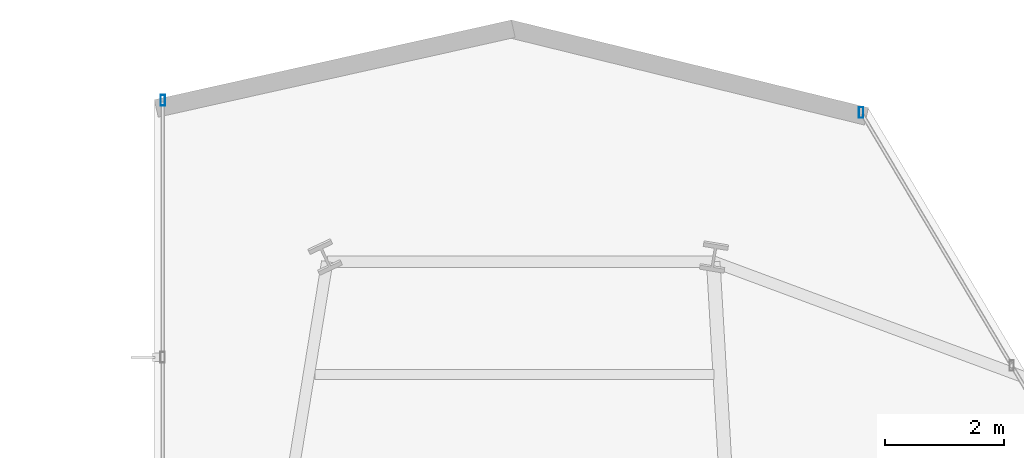
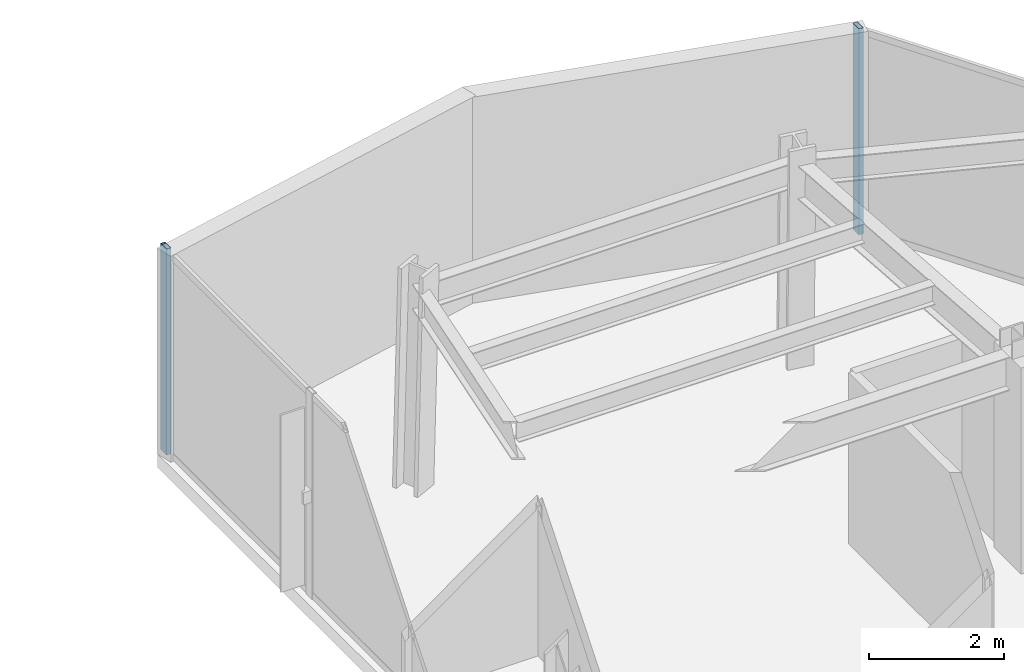
# One storey, part 17 of 23: 2 members, 2 elements without a shape of their own.
"""IFC4 building model written with IfcOpenShell, lengths in metres."""

from ifc_helpers import new_model, si_unit, direction, frame, origin, origin_2d, place, context, subcontext, project, spatial, hollow_rectangle, extrude, material, layer, layer_set, material_profile, profile_set, type_object, element, aggregate, save


model = new_model("IFC4")

# Units and contexts
model_context = context("Model", 3, precision=1e-05, world=origin(), true_north=direction((0.0, 1.0)))
body_context = subcontext(model_context, "Body", "Model", "MODEL_VIEW")
ifc_project = project(units=[si_unit("LENGTHUNIT", "METRE"), si_unit("AREAUNIT", "SQUARE_METRE"), si_unit("VOLUMEUNIT", "CUBIC_METRE"), si_unit("PLANEANGLEUNIT", "RADIAN"), si_unit("MASSUNIT", "GRAM", prefix="KILO")], contexts=[model_context])

# Site, building, storey
site_placement = place(None, origin())
site = spatial("IfcSite", under=ifc_project, at=site_placement, CompositionType="ELEMENT")
building_placement = place(site_placement, origin())
building = spatial("IfcBuilding", under=site, at=building_placement, Name="Veymaron Broadcast Tower", CompositionType="ELEMENT")
storey_placement = place(building_placement, frame((0.0, 0.0, 177.60009765625)))
storey = spatial("IfcBuildingStorey", under=building, at=storey_placement, Name="L41", CompositionType="ELEMENT", Elevation=177.60009765625)

# Curtain wall, member
ifc_material_1 = material(Name="Anodised aluminium AA 6063-T6 and laminated low-E dark glass", Category="aluminium")
ifc_layer = layer(ifc_material_1, 0.179931640625)
ifc_layer_set = layer_set([ifc_layer], Name="Anodised aluminium AA 6063-T6 and laminated low-E dark glass")
curtain_wall_type = type_object("IfcCurtainWallType", Name="CW-SYS-03", PredefinedType="NOTDEFINED", material=ifc_layer_set)
curtain_wall_1_placement = place(storey_placement, origin())
curtain_wall_1 = element("IfcCurtainWall", 1, at=curtain_wall_1_placement, inside=storey, type_object=curtain_wall_type, Name="L41 dark-glass curtain wall CW-L41-E5-1", PredefinedType="NOTDEFINED")
ifc_material_2 = material(Name="Anodised aluminium AA 6063-T6", Category="aluminium")
ifc_material_profile = material_profile(ifc_material_2, hollow_rectangle(XDim=0.074951171875, YDim=0.179931640625, WallThickness=0.0048828125, at=origin_2d()), Name="AL180X75X5")
ifc_profile_set = profile_set([ifc_material_profile], Name="Anodised aluminium AA 6063-T6")
member_type = type_object("IfcMemberType", Name="CW-MUL-02", PredefinedType="MULLION", material=ifc_profile_set)
member_1_placement = place(storey_placement, frame((41.142333984375, 40.436279296875, 0.0), z_axis=(0.0, 0.0, 1.0), x_axis=(1.0, 0.0, 0.0)))
member_1 = element("IfcMember", 2, at=member_1_placement, type_object=member_type, Name="CW-L41-E5-1 mullion 2", PredefinedType="MULLION", context=body_context, shape_type="SweptSolid", body=[
    extrude(hollow_rectangle(XDim=0.074951171875, YDim=0.179931640625, WallThickness=0.0048828125, at=origin_2d()), origin(), (0.0, 0.0, 1.0), 3.72998046875),
])
aggregate(curtain_wall_1, [member_1])

curtain_wall_2_placement = place(storey_placement, origin())
curtain_wall_2 = element("IfcCurtainWall", 3, at=curtain_wall_2_placement, inside=storey, type_object=curtain_wall_type, Name="L41 dark-glass curtain wall CW-L41-E8-1", PredefinedType="NOTDEFINED")
member_2_placement = place(storey_placement, frame((29.4013671875, 40.641845703125, 0.0), z_axis=(0.0, 0.0, 1.0), x_axis=(1.0, 0.0, 0.0)))
member_2 = element("IfcMember", 4, at=member_2_placement, type_object=member_type, Name="CW-L41-E8-1 mullion 0", PredefinedType="MULLION", context=body_context, shape_type="SweptSolid", body=[
    extrude(hollow_rectangle(XDim=0.074951171875, YDim=0.179931640625, WallThickness=0.0048828125, at=origin_2d()), origin(), (0.0, 0.0, 1.0), 3.72998046875),
])
aggregate(curtain_wall_2, [member_2])

save(model, "model.ifc")
